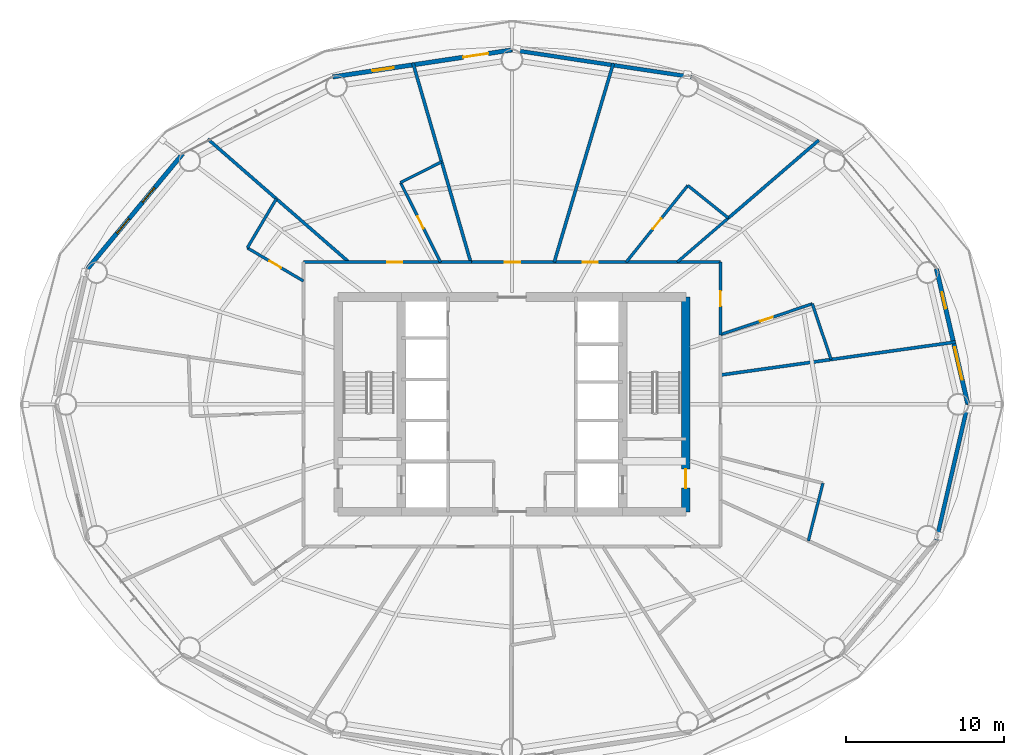
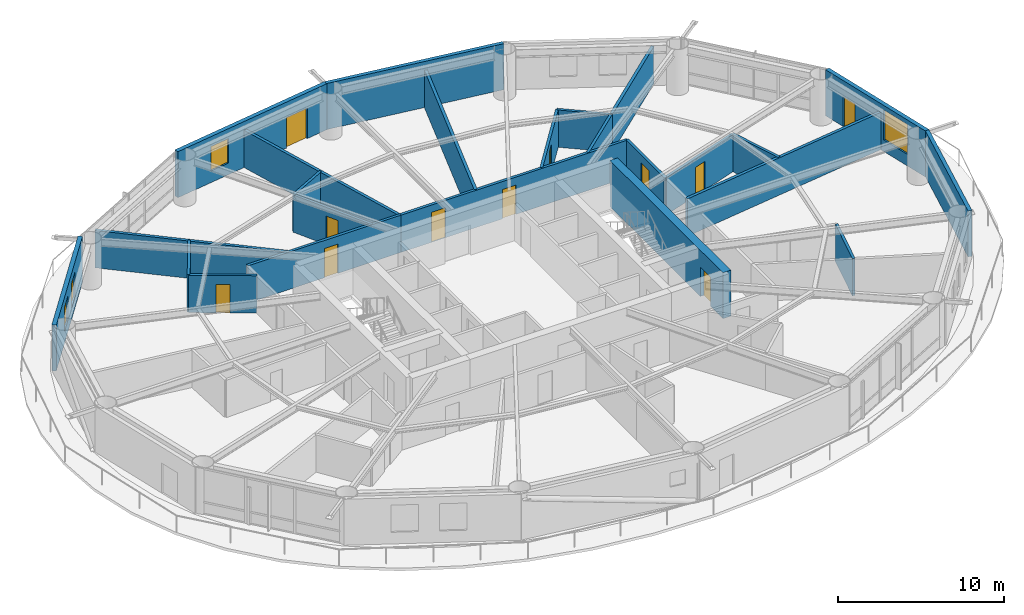
# One storey, part 20 of 24: 24 walls, 11 doors, 4 windows, 15 openings.
"""IFC4 building model written with IfcOpenShell, lengths in metres."""

from ifc_helpers import new_model, si_unit, direction, frame, frame_2d, origin, place, context, subcontext, project, spatial, rectangle, extrude, material, layer, layer_set, type_object, element, fill, save


model = new_model("IFC4")

# Units and contexts
model_context = context("Model", 3, precision=1e-05, world=origin(), true_north=direction((0.0, 1.0)))
body_context = subcontext(model_context, "Body", "Model", "MODEL_VIEW")
ifc_project = project(units=[si_unit("LENGTHUNIT", "METRE"), si_unit("AREAUNIT", "SQUARE_METRE"), si_unit("VOLUMEUNIT", "CUBIC_METRE"), si_unit("PLANEANGLEUNIT", "RADIAN"), si_unit("MASSUNIT", "GRAM", prefix="KILO")], contexts=[model_context])

# Site, building, storey
site_placement = place(None, origin())
site = spatial("IfcSite", under=ifc_project, at=site_placement, CompositionType="ELEMENT")
building_placement = place(site_placement, origin())
building = spatial("IfcBuilding", under=site, at=building_placement, Name="Sarneth Arch Tower", CompositionType="ELEMENT")
storey_placement = place(building_placement, frame((0.0, 0.0, 123.60009765625)))
storey = spatial("IfcBuildingStorey", under=building, at=storey_placement, Name="L31", CompositionType="ELEMENT", Elevation=123.60009765625)

# Wall, opening, door
ifc_material_1 = material(Name="Concrete C60/75", Category="concrete")
ifc_layer_1 = layer(ifc_material_1, 0.550048828125)
ifc_layer_set_1 = layer_set([ifc_layer_1], Name="Concrete C60/75")
wall_type_1 = type_object("IfcWallType", Name="WALL-CORE-550", PredefinedType="SHEAR", material=ifc_layer_set_1)
wall_1_placement = place(storey_placement, frame((59.0, 35.199951171875, 0.0), z_axis=(0.0, 0.0, 1.0), x_axis=(0.0, 1.0, 0.0)))
wall_1 = element("IfcWall", 1, at=wall_1_placement, inside=storey, type_object=wall_type_1, Name="L31 Core shear wall E", PredefinedType="SHEAR", context=body_context, shape_type="SweptSolid", body=[
    extrude(rectangle(XDim=13.60009765625, YDim=0.550048828125, at=frame_2d((6.800048828125, 0.0))), origin(), (0.0, 0.0, 1.0), 3.3798828125),
])
opening_1_placement = place(wall_1_placement, frame((1.5, 0.0, 0.0)))
opening_1 = element("IfcOpeningElement", 2, at=opening_1_placement, cuts=wall_1, Name="Opening FD-02", PredefinedType="OPENING", context=body_context, shape_type="SweptSolid", body=[
    extrude(rectangle(XDim=1.199951171875, YDim=2.14990234375, at=frame_2d((0.60009765625, 1.074951171875))), frame((0.0, 0.284912109375, 0.0), z_axis=(0.0, -1.0, 0.0), x_axis=(1.0, 0.0, 0.0)), (0.0, 0.0, 1.0), 0.570068359375),
])
ifc_material_2 = material(Name="Galvanised Steel S275 fire door set", Category="steel")
door_type_1 = type_object("IfcDoorType", Name="DR-FD90-1200", OperationType="SINGLE_SWING_LEFT", PredefinedType="DOOR", material=ifc_material_2)
door_1_placement = place(opening_1_placement, origin())
door_1 = element("IfcDoor", 3, at=door_1_placement, inside=storey, type_object=door_type_1, Name="L31 Firefighting lobby 2 exit door", OperationType="SINGLE_SWING_RIGHT", OverallHeight=2.14990234375, OverallWidth=1.199951171875, PredefinedType="DOOR", context=body_context, shape_type="SweptSolid", body=[
    extrude(rectangle(XDim=1.199951171875, YDim=2.14990234375, at=frame_2d((0.60009765625, 1.074951171875))), frame((0.0, 0.02490234375, 0.0), z_axis=(0.0, -1.0, 0.0), x_axis=(1.0, 0.0, 0.0)), (0.0, 0.0, 1.0), 0.050048828125),
])
fill(opening_1, door_1)

ifc_material_3 = material(Name="Double steel-stud corridor fire wall", Category="steel")
ifc_layer_2 = layer(ifc_material_3, 0.18994140625)
ifc_layer_set_2 = layer_set([ifc_layer_2], Name="Double steel-stud corridor fire wall")
wall_type_2 = type_object("IfcWallType", Name="WALL-CORR-190", PredefinedType="PARTITIONING", material=ifc_layer_set_2)
wall_2_placement = place(storey_placement, frame((34.800048828125, 51.0, 0.0), z_axis=(0.0, 0.0, 1.0), x_axis=(1.0, 0.0, 0.0)))
wall_2 = element("IfcWall", 4, at=wall_2_placement, inside=storey, type_object=wall_type_2, Name="L31 Interior partition W-L31-TP-007", PredefinedType="PARTITIONING", context=body_context, shape_type="SweptSolid", body=[
    extrude(rectangle(XDim=10.62158203125, YDim=0.18994140625, at=frame_2d((5.310791015625, 0.0))), origin(), (0.0, 0.0, 1.0), 2.739990234375),
])
opening_2_placement = place(wall_2_placement, frame((5.296875, 0.0, 0.0)))
opening_2 = element("IfcOpeningElement", 5, at=opening_2_placement, cuts=wall_2, Name="Opening FD-09", PredefinedType="OPENING", context=body_context, shape_type="SweptSolid", body=[
    extrude(rectangle(XDim=0.949951171875, YDim=2.14990234375, at=frame_2d((0.47509765625, 1.074951171875))), frame((0.0, 0.10498046875, 0.0), z_axis=(0.0, -1.0, 0.0), x_axis=(1.0, 0.0, 0.0)), (0.0, 0.0, 1.0), 0.2099609375),
])
ifc_material_4 = material(Name="Hardwood timber hotel entrance fire door", Category="wood")
door_type_2 = type_object("IfcDoorType", Name="DR-FD60-950", OperationType="SINGLE_SWING_RIGHT", PredefinedType="DOOR", material=ifc_material_4)
door_2_placement = place(opening_2_placement, origin())
door_2 = element("IfcDoor", 6, at=door_2_placement, inside=storey, type_object=door_type_2, Name="L31 Interior door DR-L31-KEY-04", OperationType="SINGLE_SWING_LEFT", OverallHeight=2.14990234375, OverallWidth=0.949951171875, PredefinedType="DOOR", context=body_context, shape_type="SweptSolid", body=[
    extrude(rectangle(XDim=0.949951171875, YDim=2.14990234375, at=frame_2d((0.47509765625, 1.074951171875))), frame((0.0, 0.02490234375, 0.0), z_axis=(0.0, -1.0, 0.0), x_axis=(1.0, 0.0, 0.0)), (0.0, 0.0, 1.0), 0.050048828125),
])
fill(opening_2, door_2)

# Wall, openings, doors
wall_3_placement = place(storey_placement, frame((45.35498046875, 51.0, 0.0), z_axis=(0.0, 0.0, 1.0), x_axis=(1.0, 0.0, 0.0)))
wall_3 = element("IfcWall", 7, at=wall_3_placement, inside=storey, type_object=wall_type_2, Name="L31 Interior partition W-L31-TP-006", PredefinedType="PARTITIONING", context=body_context, shape_type="SweptSolid", body=[
    extrude(rectangle(XDim=15.844970703125, YDim=0.18994140625, at=frame_2d((7.92236328125, 0.0))), origin(), (0.0, 0.0, 1.0), 2.739990234375),
])
opening_3_placement = place(wall_3_placement, frame((2.176025390625, 0.0, 0.0)))
opening_3 = element("IfcOpeningElement", 8, at=opening_3_placement, cuts=wall_3, Name="Opening FD-08", PredefinedType="OPENING", context=body_context, shape_type="SweptSolid", body=[
    extrude(rectangle(XDim=1.0, YDim=2.199951171875, at=frame_2d((0.5, 1.10009765625))), frame((0.0, 0.10498046875, 0.0), z_axis=(0.0, -1.0, 0.0), x_axis=(1.0, 0.0, 0.0)), (0.0, 0.0, 1.0), 0.2099609375),
])
opening_4_placement = place(wall_3_placement, frame((7.125, 0.0, 0.0)))
opening_4 = element("IfcOpeningElement", 9, at=opening_4_placement, cuts=wall_3, Name="Opening FD-09", PredefinedType="OPENING", context=body_context, shape_type="SweptSolid", body=[
    extrude(rectangle(XDim=0.949951171875, YDim=2.14990234375, at=frame_2d((0.47509765625, 1.074951171875))), frame((0.0, 0.10498046875, 0.0), z_axis=(0.0, -1.0, 0.0), x_axis=(1.0, 0.0, 0.0)), (0.0, 0.0, 1.0), 0.2099609375),
])
ifc_material_5 = material(Name="Hardwood timber acoustic fire door", Category="wood")
door_type_3 = type_object("IfcDoorType", Name="DR-FD60-1000", OperationType="SINGLE_SWING_LEFT", PredefinedType="DOOR", material=ifc_material_5)
door_3_placement = place(opening_3_placement, origin())
door_3 = element("IfcDoor", 10, at=door_3_placement, inside=storey, type_object=door_type_3, Name="L31 Interior door DR-L31-AMN-03", OperationType="SINGLE_SWING_RIGHT", OverallHeight=2.199951171875, OverallWidth=1.0, PredefinedType="DOOR", context=body_context, shape_type="SweptSolid", body=[
    extrude(rectangle(XDim=1.0, YDim=2.199951171875, at=frame_2d((0.5, 1.10009765625))), frame((0.0, 0.02490234375, 0.0), z_axis=(0.0, -1.0, 0.0), x_axis=(1.0, 0.0, 0.0)), (0.0, 0.0, 1.0), 0.050048828125),
])
fill(opening_3, door_3)
door_4_placement = place(opening_4_placement, origin())
door_4 = element("IfcDoor", 11, at=door_4_placement, inside=storey, type_object=door_type_2, Name="L31 Interior door DR-L31-KEY-02", OperationType="SINGLE_SWING_RIGHT", OverallHeight=2.14990234375, OverallWidth=0.949951171875, PredefinedType="DOOR", context=body_context, shape_type="SweptSolid", body=[
    extrude(rectangle(XDim=0.949951171875, YDim=2.14990234375, at=frame_2d((0.47509765625, 1.074951171875))), frame((0.0, 0.02490234375, 0.0), z_axis=(0.0, -1.0, 0.0), x_axis=(1.0, 0.0, 0.0)), (0.0, 0.0, 1.0), 0.050048828125),
])
fill(opening_4, door_4)

# Wall, opening, door
wall_4_placement = place(storey_placement, frame((61.199951171875, 51.0, 0.0), z_axis=(0.0, 0.0, 1.0), x_axis=(0.0, -1.0, 0.0)))
wall_4 = element("IfcWall", 12, at=wall_4_placement, inside=storey, type_object=wall_type_2, Name="L31 Interior partition W-L31-TP-002", PredefinedType="PARTITIONING", context=body_context, shape_type="SweptSolid", body=[
    extrude(rectangle(XDim=4.616943359375, YDim=0.18994140625, at=frame_2d((2.30859375, 0.0))), origin(), (0.0, 0.0, 1.0), 2.739990234375),
])
opening_5_placement = place(wall_4_placement, frame((1.83349609375, 0.0, 0.0)))
opening_5 = element("IfcOpeningElement", 13, at=opening_5_placement, cuts=wall_4, Name="Opening FD-09", PredefinedType="OPENING", context=body_context, shape_type="SweptSolid", body=[
    extrude(rectangle(XDim=0.949951171875, YDim=2.14990234375, at=frame_2d((0.47509765625, 1.074951171875))), frame((0.0, 0.10498046875, 0.0), z_axis=(0.0, -1.0, 0.0), x_axis=(1.0, 0.0, 0.0)), (0.0, 0.0, 1.0), 0.2099609375),
])
door_5_placement = place(opening_5_placement, origin())
door_5 = element("IfcDoor", 14, at=door_5_placement, inside=storey, type_object=door_type_2, Name="L31 Interior door DR-L31-KEY-01", OperationType="SINGLE_SWING_LEFT", OverallHeight=2.14990234375, OverallWidth=0.949951171875, PredefinedType="DOOR", context=body_context, shape_type="SweptSolid", body=[
    extrude(rectangle(XDim=0.949951171875, YDim=2.14990234375, at=frame_2d((0.47509765625, 1.074951171875))), frame((0.0, 0.02490234375, 0.0), z_axis=(0.0, -1.0, 0.0), x_axis=(1.0, 0.0, 0.0)), (0.0, 0.0, 1.0), 0.050048828125),
])
fill(opening_5, door_5)

# Walls
ifc_material_6 = material(Name="Extruded terracotta rainscreen on Concrete C40/50 backing", Category="masonry")
ifc_layer_3 = layer(ifc_material_6, 0.25)
ifc_layer_set_3 = layer_set([ifc_layer_3], Name="Extruded terracotta rainscreen on Concrete C40/50 backing")
wall_type_3 = type_object("IfcWallType", Name="WALL-EXT-SPAND-250", PredefinedType="SOLIDWALL", material=ifc_layer_set_3)
wall_5_placement = place(storey_placement, frame((59.351318359375, 62.72265625, 0.0), z_axis=(0.0, 0.0, 1.0), x_axis=(-0.988877774656, 0.148730450117, 0.0)))
element("IfcWall", 15, at=wall_5_placement, inside=storey, type_object=wall_type_3, Name="L31 Terracotta perimeter wall 04", PredefinedType="SOLIDWALL", context=body_context, shape_type="SweptSolid", body=[
    extrude(rectangle(XDim=11.47900390625, YDim=0.25, at=frame_2d((5.739501953125, 0.0))), origin(), (0.0, 0.0, 1.0), 3.3798828125),
])
wall_6_placement = place(storey_placement, frame((74.861328125, 33.41650390625, 0.0), z_axis=(0.0, 0.0, 1.0), x_axis=(0.22558597182, 0.974223264616, 0.0)))
element("IfcWall", 16, at=wall_6_placement, inside=storey, type_object=wall_type_3, Name="L31 Terracotta perimeter wall 16", PredefinedType="SOLIDWALL", context=body_context, shape_type="SweptSolid", body=[
    extrude(rectangle(XDim=8.810546875, YDim=0.25, at=frame_2d((4.4052734375, 0.0))), origin(), (0.0, 0.0, 1.0), 3.3798828125),
])

# Wall, openings, door, window
ifc_material_7 = material(Name="Extruded terracotta rainscreen on Concrete C40/50 backing", Category="masonry")
ifc_layer_4 = layer(ifc_material_7, 0.280029296875)
ifc_layer_set_4 = layer_set([ifc_layer_4], Name="Extruded terracotta rainscreen on Concrete C40/50 backing")
wall_type_4 = type_object("IfcWallType", Name="WALL-EXT-TERRA-280", PredefinedType="SOLIDWALL", material=ifc_layer_set_4)
wall_7_placement = place(storey_placement, frame((76.848876953125, 42.0, 0.0), z_axis=(0.0, 0.0, 1.0), x_axis=(-0.22558597182, 0.974223264616, 0.0)))
wall_7 = element("IfcWall", 17, at=wall_7_placement, inside=storey, type_object=wall_type_4, Name="L31 Terracotta perimeter wall 01", PredefinedType="SOLIDWALL", context=body_context, shape_type="SweptSolid", body=[
    extrude(rectangle(XDim=8.810546875, YDim=0.280029296875, at=frame_2d((4.4052734375, 0.0))), origin(), (0.0, 0.0, 1.0), 3.3798828125),
])
opening_6_placement = place(wall_7_placement, frame((1.60400390625, 0.0, 0.85009765625)))
opening_6 = element("IfcOpeningElement", 18, at=opening_6_placement, cuts=wall_7, Name="Opening W-03", PredefinedType="OPENING", context=body_context, shape_type="SweptSolid", body=[
    extrude(rectangle(XDim=2.10009765625, YDim=2.199951171875, at=frame_2d((1.050048828125, 1.10009765625))), frame((0.0, 0.14990234375, 0.0), z_axis=(0.0, -1.0, 0.0), x_axis=(1.0, 0.0, 0.0)), (0.0, 0.0, 1.0), 0.300048828125),
])
opening_7_placement = place(wall_7_placement, frame((6.224609375, 0.0, 0.0)))
opening_7 = element("IfcOpeningElement", 19, at=opening_7_placement, cuts=wall_7, Name="Opening BD-4", PredefinedType="OPENING", context=body_context, shape_type="SweptSolid", body=[
    extrude(rectangle(XDim=1.050048828125, YDim=2.199951171875, at=frame_2d((0.52490234375, 1.10009765625))), frame((0.0, 0.14990234375, 0.0), z_axis=(0.0, -1.0, 0.0), x_axis=(1.0, 0.0, 0.0)), (0.0, 0.0, 1.0), 0.300048828125),
])
ifc_material_8 = material(Name="Thermally broken Aluminium 6063-T6 and laminated safety glass", Category="aluminium")
door_type_4 = type_object("IfcDoorType", Name="DR-BALC-GLZ-1050", OperationType="SINGLE_SWING_RIGHT", PredefinedType="DOOR", material=ifc_material_8)
door_6_placement = place(opening_7_placement, origin())
door_6 = element("IfcDoor", 20, at=door_6_placement, inside=storey, type_object=door_type_4, Name="L31 Balcony glazed door 01", OperationType="SINGLE_SWING_RIGHT", OverallHeight=2.199951171875, OverallWidth=1.050048828125, PredefinedType="DOOR", context=body_context, shape_type="SweptSolid", body=[
    extrude(rectangle(XDim=1.050048828125, YDim=2.199951171875, at=frame_2d((0.52490234375, 1.10009765625))), frame((0.0, 0.02490234375, 0.0), z_axis=(0.0, -1.0, 0.0), x_axis=(1.0, 0.0, 0.0)), (0.0, 0.0, 1.0), 0.050048828125),
])
fill(opening_7, door_6)
ifc_material_9 = material(Name="Thermally broken Aluminium 6063-T6 and low-e laminated IGU", Category="aluminium")
window_type_1 = type_object("IfcWindowType", Name="WIN-TWR-2100x2200", PartitioningType="DOUBLE_PANEL_VERTICAL", PredefinedType="WINDOW", material=ifc_material_9)
window_1_placement = place(opening_6_placement, origin())
window_1 = element("IfcWindow", 21, at=window_1_placement, inside=storey, type_object=window_type_1, Name="L31 Exterior window 01A", OverallHeight=2.199951171875, OverallWidth=2.10009765625, PartitioningType="SINGLE_PANEL", PredefinedType="WINDOW", context=body_context, shape_type="SweptSolid", body=[
    extrude(rectangle(XDim=2.10009765625, YDim=2.199951171875, at=frame_2d((1.050048828125, 1.10009765625))), frame((0.0, 0.030029296875, 0.0), z_axis=(0.0, -1.0, 0.0), x_axis=(1.0, 0.0, 0.0)), (0.0, 0.0, 1.0), 0.06005859375),
])
fill(opening_6, window_1)

wall_8_placement = place(storey_placement, frame((48.0, 64.429931640625, 0.0), z_axis=(0.0, 0.0, 1.0), x_axis=(-0.988877774656, -0.148730450117, 0.0)))
wall_8 = element("IfcWall", 22, at=wall_8_placement, inside=storey, type_object=wall_type_4, Name="L31 Terracotta perimeter wall 05", PredefinedType="SOLIDWALL", context=body_context, shape_type="SweptSolid", body=[
    extrude(rectangle(XDim=11.47900390625, YDim=0.280029296875, at=frame_2d((5.739501953125, 0.0))), origin(), (0.0, 0.0, 1.0), 3.3798828125),
])
opening_8_placement = place(wall_8_placement, frame((1.523681640625, 0.0, 0.0)))
opening_8 = element("IfcOpeningElement", 23, at=opening_8_placement, cuts=wall_8, Name="Opening BD-1", PredefinedType="OPENING", context=body_context, shape_type="SweptSolid", body=[
    extrude(rectangle(XDim=1.60009765625, YDim=2.25, at=frame_2d((0.800048828125, 1.125))), frame((0.0, 0.14990234375, 0.0), z_axis=(0.0, -1.0, 0.0), x_axis=(1.0, 0.0, 0.0)), (0.0, 0.0, 1.0), 0.300048828125),
])
opening_9_placement = place(wall_8_placement, frame((7.574951171875, 0.0, 0.85009765625)))
opening_9 = element("IfcOpeningElement", 24, at=opening_9_placement, cuts=wall_8, Name="Opening W-08", PredefinedType="OPENING", context=body_context, shape_type="SweptSolid", body=[
    extrude(rectangle(XDim=1.35009765625, YDim=1.800048828125, at=frame_2d((0.675048828125, 0.89990234375))), frame((0.0, 0.14990234375, 0.0), z_axis=(0.0, -1.0, 0.0), x_axis=(1.0, 0.0, 0.0)), (0.0, 0.0, 1.0), 0.300048828125),
])
ifc_material_10 = material(Name="Thermally broken Aluminium 6063-T6 and laminated safety glass", Category="aluminium")
door_type_5 = type_object("IfcDoorType", Name="DR-BALC-GLZ-1600", OperationType="DOUBLE_DOOR_SINGLE_SWING", PredefinedType="DOOR", material=ifc_material_10)
door_7_placement = place(opening_8_placement, origin())
door_7 = element("IfcDoor", 25, at=door_7_placement, inside=storey, type_object=door_type_5, Name="L31 Balcony glazed door 05", OperationType="DOUBLE_DOOR_SINGLE_SWING", OverallHeight=2.25, OverallWidth=1.60009765625, PredefinedType="DOOR", context=body_context, shape_type="SweptSolid", body=[
    extrude(rectangle(XDim=1.60009765625, YDim=2.25, at=frame_2d((0.800048828125, 1.125))), frame((0.0, 0.02490234375, 0.0), z_axis=(0.0, -1.0, 0.0), x_axis=(1.0, 0.0, 0.0)), (0.0, 0.0, 1.0), 0.050048828125),
])
fill(opening_8, door_7)
ifc_material_11 = material(Name="Thermally broken Aluminium 6063-T6 and low-e laminated IGU", Category="aluminium")
window_type_2 = type_object("IfcWindowType", Name="WIN-TWR-1350x1800", PartitioningType="SINGLE_PANEL", PredefinedType="WINDOW", material=ifc_material_11)
window_2_placement = place(opening_9_placement, origin())
window_2 = element("IfcWindow", 26, at=window_2_placement, inside=storey, type_object=window_type_2, Name="L31 Exterior window 05A", OverallHeight=1.800048828125, OverallWidth=1.35009765625, PartitioningType="SINGLE_PANEL", PredefinedType="WINDOW", context=body_context, shape_type="SweptSolid", body=[
    extrude(rectangle(XDim=1.35009765625, YDim=1.800048828125, at=frame_2d((0.675048828125, 0.89990234375))), frame((0.0, 0.030029296875, 0.0), z_axis=(0.0, -1.0, 0.0), x_axis=(1.0, 0.0, 0.0)), (0.0, 0.0, 1.0), 0.06005859375),
])
fill(opening_9, window_2)

# Wall, openings, windows
wall_9_placement = place(storey_placement, frame((27.159912109375, 57.8603515625, 0.0), z_axis=(0.0, 0.0, 1.0), x_axis=(-0.637505817448, -0.770445541696, 0.0)))
wall_9 = element("IfcWall", 27, at=wall_9_placement, inside=storey, type_object=wall_type_4, Name="L31 Terracotta perimeter wall 07", PredefinedType="SOLIDWALL", context=body_context, shape_type="SweptSolid", body=[
    extrude(rectangle(XDim=9.445068359375, YDim=0.280029296875, at=frame_2d((4.72265625, 0.0))), origin(), (0.0, 0.0, 1.0), 3.3798828125),
])
opening_10_placement = place(wall_9_placement, frame((2.796630859375, 0.0, 0.85009765625)))
opening_10 = element("IfcOpeningElement", 28, at=opening_10_placement, cuts=wall_9, Name="Opening W-09", PredefinedType="OPENING", context=body_context, shape_type="SweptSolid", body=[
    extrude(rectangle(XDim=1.199951171875, YDim=1.800048828125, at=frame_2d((0.60009765625, 0.89990234375))), frame((0.0, 0.14990234375, 0.0), z_axis=(0.0, -1.0, 0.0), x_axis=(1.0, 0.0, 0.0)), (0.0, 0.0, 1.0), 0.300048828125),
])
opening_11_placement = place(wall_9_placement, frame((5.331787109375, 0.0, 0.85009765625)))
opening_11 = element("IfcOpeningElement", 29, at=opening_11_placement, cuts=wall_9, Name="Opening W-09", PredefinedType="OPENING", context=body_context, shape_type="SweptSolid", body=[
    extrude(rectangle(XDim=1.199951171875, YDim=1.800048828125, at=frame_2d((0.60009765625, 0.89990234375))), frame((0.0, 0.14990234375, 0.0), z_axis=(0.0, -1.0, 0.0), x_axis=(1.0, 0.0, 0.0)), (0.0, 0.0, 1.0), 0.300048828125),
])
ifc_material_12 = material(Name="Thermally broken Aluminium 6063-T6 and low-e laminated IGU", Category="aluminium")
window_type_3 = type_object("IfcWindowType", Name="WIN-TWR-1200x1800", PartitioningType="SINGLE_PANEL", PredefinedType="WINDOW", material=ifc_material_12)
window_3_placement = place(opening_10_placement, origin())
window_3 = element("IfcWindow", 30, at=window_3_placement, inside=storey, type_object=window_type_3, Name="L31 Exterior window 07A", OverallHeight=1.800048828125, OverallWidth=1.199951171875, PartitioningType="SINGLE_PANEL", PredefinedType="WINDOW", context=body_context, shape_type="SweptSolid", body=[
    extrude(rectangle(XDim=1.199951171875, YDim=1.800048828125, at=frame_2d((0.60009765625, 0.89990234375))), frame((0.0, 0.030029296875, 0.0), z_axis=(0.0, -1.0, 0.0), x_axis=(1.0, 0.0, 0.0)), (0.0, 0.0, 1.0), 0.06005859375),
])
fill(opening_10, window_3)
window_4_placement = place(opening_11_placement, origin())
window_4 = element("IfcWindow", 31, at=window_4_placement, inside=storey, type_object=window_type_3, Name="L31 Exterior window 07B", OverallHeight=1.800048828125, OverallWidth=1.199951171875, PartitioningType="SINGLE_PANEL", PredefinedType="WINDOW", context=body_context, shape_type="SweptSolid", body=[
    extrude(rectangle(XDim=1.199951171875, YDim=1.800048828125, at=frame_2d((0.60009765625, 0.89990234375))), frame((0.0, 0.030029296875, 0.0), z_axis=(0.0, -1.0, 0.0), x_axis=(1.0, 0.0, 0.0)), (0.0, 0.0, 1.0), 0.06005859375),
])
fill(opening_11, window_4)

# Wall, opening, door
ifc_material_13 = material(Name="Moisture-resistant plumbing chase wall", Category="gypsum")
ifc_layer_5 = layer(ifc_material_13, 0.179931640625)
ifc_layer_set_5 = layer_set([ifc_layer_5], Name="Moisture-resistant plumbing chase wall")
wall_type_5 = type_object("IfcWallType", Name="WALL-PLUMB-180", PredefinedType="PLUMBINGWALL", material=ifc_layer_set_5)
wall_10_placement = place(storey_placement, frame((55.22900390625, 51.0, 0.0), z_axis=(0.0, 0.0, 1.0), x_axis=(0.626239129839, 0.779631035977, 0.0)))
wall_10 = element("IfcWall", 32, at=wall_10_placement, inside=storey, type_object=wall_type_5, Name="L31 Interior partition W-L31-TP-031", PredefinedType="PLUMBINGWALL", context=body_context, shape_type="SweptSolid", body=[
    extrude(rectangle(XDim=6.22314453125, YDim=0.179931640625, at=frame_2d((3.111572265625, 0.0))), origin(), (0.0, 0.0, 1.0), 2.739990234375),
])
opening_12_placement = place(wall_10_placement, frame((2.6865234375, 0.0, 0.0)))
opening_12 = element("IfcOpeningElement", 33, at=opening_12_placement, cuts=wall_10, Name="Opening ID-02", PredefinedType="OPENING", context=body_context, shape_type="SweptSolid", body=[
    extrude(rectangle(XDim=0.85009765625, YDim=2.10009765625, at=frame_2d((0.425048828125, 1.050048828125))), frame((0.0, 0.099853515625, 0.0), z_axis=(0.0, -1.0, 0.0), x_axis=(1.0, 0.0, 0.0)), (0.0, 0.0, 1.0), 0.199951171875),
])
ifc_material_14 = material(Name="Moisture-resistant bathroom timber door", Category="wood")
door_type_6 = type_object("IfcDoorType", Name="DR-INT-850", OperationType="SINGLE_SWING_RIGHT", PredefinedType="DOOR", material=ifc_material_14)
door_8_placement = place(opening_12_placement, origin())
door_8 = element("IfcDoor", 34, at=door_8_placement, inside=storey, type_object=door_type_6, Name="L31 Interior door DR-L31-ENS-02", OperationType="SINGLE_SWING_LEFT", OverallHeight=2.10009765625, OverallWidth=0.85009765625, PredefinedType="DOOR", context=body_context, shape_type="SweptSolid", body=[
    extrude(rectangle(XDim=0.85009765625, YDim=2.10009765625, at=frame_2d((0.425048828125, 1.050048828125))), frame((0.0, 0.02490234375, 0.0), z_axis=(0.0, -1.0, 0.0), x_axis=(1.0, 0.0, 0.0)), (0.0, 0.0, 1.0), 0.050048828125),
])
fill(opening_12, door_8)

wall_11_placement = place(storey_placement, frame((67.01220703125, 48.361328125, 0.0), z_axis=(0.0, 0.0, 1.0), x_axis=(-0.948332174456, -0.317279193915, 0.0)))
wall_11 = element("IfcWall", 35, at=wall_11_placement, inside=storey, type_object=wall_type_5, Name="L31 Interior partition W-L31-TP-026", PredefinedType="PLUMBINGWALL", context=body_context, shape_type="SweptSolid", body=[
    extrude(rectangle(XDim=6.12890625, YDim=0.179931640625, at=frame_2d((3.064453125, 0.0))), origin(), (0.0, 0.0, 1.0), 2.739990234375),
])
opening_13_placement = place(wall_11_placement, frame((2.639404296875, 0.0, 0.0)))
opening_13 = element("IfcOpeningElement", 36, at=opening_13_placement, cuts=wall_11, Name="Opening ID-02", PredefinedType="OPENING", context=body_context, shape_type="SweptSolid", body=[
    extrude(rectangle(XDim=0.85009765625, YDim=2.10009765625, at=frame_2d((0.425048828125, 1.050048828125))), frame((0.0, 0.099853515625, 0.0), z_axis=(0.0, -1.0, 0.0), x_axis=(1.0, 0.0, 0.0)), (0.0, 0.0, 1.0), 0.199951171875),
])
door_9_placement = place(opening_13_placement, origin())
door_9 = element("IfcDoor", 37, at=door_9_placement, inside=storey, type_object=door_type_6, Name="L31 Interior door DR-L31-ENS-01", OperationType="SINGLE_SWING_LEFT", OverallHeight=2.10009765625, OverallWidth=0.85009765625, PredefinedType="DOOR", context=body_context, shape_type="SweptSolid", body=[
    extrude(rectangle(XDim=0.85009765625, YDim=2.10009765625, at=frame_2d((0.425048828125, 1.050048828125))), frame((0.0, 0.02490234375, 0.0), z_axis=(0.0, -1.0, 0.0), x_axis=(1.0, 0.0, 0.0)), (0.0, 0.0, 1.0), 0.050048828125),
])
fill(opening_13, door_9)

wall_12_placement = place(storey_placement, frame((40.94482421875, 56.03857421875, 0.0), z_axis=(0.0, 0.0, 1.0), x_axis=(0.44904833135, -0.893507468414, 0.0)))
wall_12 = element("IfcWall", 38, at=wall_12_placement, inside=storey, type_object=wall_type_5, Name="L31 Interior partition W-L31-TP-037", PredefinedType="PLUMBINGWALL", context=body_context, shape_type="SweptSolid", body=[
    extrude(rectangle(XDim=5.63916015625, YDim=0.179931640625, at=frame_2d((2.819580078125, 0.0))), origin(), (0.0, 0.0, 1.0), 2.739990234375),
])
opening_14_placement = place(wall_12_placement, frame((2.39453125, 0.0, 0.0)))
opening_14 = element("IfcOpeningElement", 39, at=opening_14_placement, cuts=wall_12, Name="Opening ID-02", PredefinedType="OPENING", context=body_context, shape_type="SweptSolid", body=[
    extrude(rectangle(XDim=0.85009765625, YDim=2.10009765625, at=frame_2d((0.425048828125, 1.050048828125))), frame((0.0, 0.099853515625, 0.0), z_axis=(0.0, -1.0, 0.0), x_axis=(1.0, 0.0, 0.0)), (0.0, 0.0, 1.0), 0.199951171875),
])
door_10_placement = place(opening_14_placement, origin())
door_10 = element("IfcDoor", 40, at=door_10_placement, inside=storey, type_object=door_type_6, Name="L31 Interior door DR-L31-ENS-04", OperationType="SINGLE_SWING_RIGHT", OverallHeight=2.10009765625, OverallWidth=0.85009765625, PredefinedType="DOOR", context=body_context, shape_type="SweptSolid", body=[
    extrude(rectangle(XDim=0.85009765625, YDim=2.10009765625, at=frame_2d((0.425048828125, 1.050048828125))), frame((0.0, 0.02490234375, 0.0), z_axis=(0.0, -1.0, 0.0), x_axis=(1.0, 0.0, 0.0)), (0.0, 0.0, 1.0), 0.050048828125),
])
fill(opening_14, door_10)

# Wall
wall_13_placement = place(storey_placement, frame((61.693603515625, 53.78955078125, 0.0), z_axis=(0.0, 0.0, 1.0), x_axis=(-0.757844088621, -0.652435695945, 0.0)))
element("IfcWall", 41, at=wall_13_placement, inside=storey, type_object=wall_type_5, Name="L31 Interior partition W-L31-TP-028", PredefinedType="PLUMBINGWALL", context=body_context, shape_type="SweptSolid", body=[
    extrude(rectangle(XDim=4.275634765625, YDim=0.179931640625, at=frame_2d((2.1376953125, 0.0))), origin(), (0.0, 0.0, 1.0), 2.739990234375),
])

# Wall, opening, door
wall_14_placement = place(storey_placement, frame((31.25, 51.90234375, 0.0), z_axis=(0.0, 0.0, 1.0), x_axis=(0.860833406846, -0.508886869214, 0.0)))
wall_14 = element("IfcWall", 42, at=wall_14_placement, inside=storey, type_object=wall_type_5, Name="L31 Interior partition W-L31-TP-041", PredefinedType="PLUMBINGWALL", context=body_context, shape_type="SweptSolid", body=[
    extrude(rectangle(XDim=4.1240234375, YDim=0.179931640625, at=frame_2d((2.06201171875, 0.0))), origin(), (0.0, 0.0, 1.0), 2.739990234375),
])
opening_15_placement = place(wall_14_placement, frame((1.636962890625, 0.0, 0.0)))
opening_15 = element("IfcOpeningElement", 43, at=opening_15_placement, cuts=wall_14, Name="Opening ID-02", PredefinedType="OPENING", context=body_context, shape_type="SweptSolid", body=[
    extrude(rectangle(XDim=0.85009765625, YDim=2.10009765625, at=frame_2d((0.425048828125, 1.050048828125))), frame((0.0, 0.099853515625, 0.0), z_axis=(0.0, -1.0, 0.0), x_axis=(1.0, 0.0, 0.0)), (0.0, 0.0, 1.0), 0.199951171875),
])
door_11_placement = place(opening_15_placement, origin())
door_11 = element("IfcDoor", 44, at=door_11_placement, inside=storey, type_object=door_type_6, Name="L31 Interior door DR-L31-ENS-05", OperationType="SINGLE_SWING_RIGHT", OverallHeight=2.10009765625, OverallWidth=0.85009765625, PredefinedType="DOOR", context=body_context, shape_type="SweptSolid", body=[
    extrude(rectangle(XDim=0.85009765625, YDim=2.10009765625, at=frame_2d((0.425048828125, 1.050048828125))), frame((0.0, 0.02490234375, 0.0), z_axis=(0.0, -1.0, 0.0), x_axis=(1.0, 0.0, 0.0)), (0.0, 0.0, 1.0), 0.050048828125),
])
fill(opening_15, door_11)

# Walls
wall_15_placement = place(storey_placement, frame((67.678466796875, 37.010498046875, 0.0), z_axis=(0.0, 0.0, 1.0), x_axis=(-0.245725202551, -0.969339530212, 0.0)))
element("IfcWall", 45, at=wall_15_placement, inside=storey, type_object=wall_type_5, Name="L31 Interior partition W-L31-TP-062", PredefinedType="PLUMBINGWALL", context=body_context, shape_type="SweptSolid", body=[
    extrude(rectangle(XDim=3.7626953125, YDim=0.179931640625, at=frame_2d((1.88134765625, 0.0))), origin(), (0.0, 0.0, 1.0), 2.739990234375),
])
wall_16_placement = place(storey_placement, frame((68.191162109375, 44.837646484375, 0.0), z_axis=(0.0, 0.0, 1.0), x_axis=(-0.317291996527, 0.948327891048, 0.0)))
element("IfcWall", 46, at=wall_16_placement, inside=storey, type_object=wall_type_5, Name="L31 Interior partition W-L31-TP-025", PredefinedType="PLUMBINGWALL", context=body_context, shape_type="SweptSolid", body=[
    extrude(rectangle(XDim=3.715576171875, YDim=0.179931640625, at=frame_2d((1.85791015625, 0.0))), origin(), (0.0, 0.0, 1.0), 2.739990234375),
])
wall_17_placement = place(storey_placement, frame((33.085205078125, 55.006591796875, 0.0), z_axis=(0.0, 0.0, 1.0), x_axis=(-0.508909491775, -0.860820032981, 0.0)))
element("IfcWall", 47, at=wall_17_placement, inside=storey, type_object=wall_type_5, Name="L31 Interior partition W-L31-TP-040", PredefinedType="PLUMBINGWALL", context=body_context, shape_type="SweptSolid", body=[
    extrude(rectangle(XDim=3.606201171875, YDim=0.179931640625, at=frame_2d((1.80322265625, 0.0))), origin(), (0.0, 0.0, 1.0), 2.739990234375),
])
wall_18_placement = place(storey_placement, frame((59.126220703125, 55.851806640625, 0.0), z_axis=(0.0, 0.0, 1.0), x_axis=(0.779630447666, -0.626239862251, 0.0)))
element("IfcWall", 48, at=wall_18_placement, inside=storey, type_object=wall_type_5, Name="L31 Interior partition W-L31-TP-032", PredefinedType="PLUMBINGWALL", context=body_context, shape_type="SweptSolid", body=[
    extrude(rectangle(XDim=3.29296875, YDim=0.179931640625, at=frame_2d((1.646484375, 0.0))), origin(), (0.0, 0.0, 1.0), 2.739990234375),
])
wall_19_placement = place(storey_placement, frame((43.546875, 57.34619140625, 0.0), z_axis=(0.0, 0.0, 1.0), x_axis=(-0.893519933294, -0.449023528122, 0.0)))
element("IfcWall", 49, at=wall_19_placement, inside=storey, type_object=wall_type_5, Name="L31 Interior partition W-L31-TP-036", PredefinedType="PLUMBINGWALL", context=body_context, shape_type="SweptSolid", body=[
    extrude(rectangle(XDim=2.912109375, YDim=0.179931640625, at=frame_2d((1.4560546875, 0.0))), origin(), (0.0, 0.0, 1.0), 2.739990234375),
])
ifc_material_15 = material(Name="Double steel-stud acoustic drywall", Category="steel")
ifc_layer_6 = layer(ifc_material_15, 0.199951171875)
ifc_layer_set_6 = layer_set([ifc_layer_6], Name="Double steel-stud acoustic drywall")
wall_type_6 = type_object("IfcWallType", Name="WALL-UNIT-200", PredefinedType="PARTITIONING", material=ifc_layer_set_6)
wall_20_placement = place(storey_placement, frame((54.41259765625, 63.585693359375, 0.0), z_axis=(0.0, 0.0, 1.0), x_axis=(-0.284782789849, -0.958592073098, 0.0)))
element("IfcWall", 50, at=wall_20_placement, inside=storey, type_object=wall_type_6, Name="L31 Interior partition W-L31-TP-033", PredefinedType="PARTITIONING", context=body_context, shape_type="SweptSolid", body=[
    extrude(rectangle(XDim=13.12939453125, YDim=0.199951171875, at=frame_2d((6.564697265625, 0.0))), origin(), (0.0, 0.0, 1.0), 2.739990234375),
])
wall_21_placement = place(storey_placement, frame((61.199951171875, 43.85498046875, 0.0), z_axis=(0.0, 0.0, 1.0), x_axis=(0.990266848234, 0.139181785048, 0.0)))
element("IfcWall", 51, at=wall_21_placement, inside=storey, type_object=wall_type_6, Name="L31 Interior partition W-L31-TP-029", PredefinedType="PARTITIONING", context=body_context, shape_type="SweptSolid", body=[
    extrude(rectangle(XDim=15.004638671875, YDim=0.199951171875, at=frame_2d((7.50244140625, 0.0))), origin(), (0.0, 0.0, 1.0), 2.739990234375),
])
wall_22_placement = place(storey_placement, frame((67.414794921875, 58.715576171875, 0.0), z_axis=(0.0, 0.0, 1.0), x_axis=(-0.757805222449, -0.652480838668, 0.0)))
element("IfcWall", 52, at=wall_22_placement, inside=storey, type_object=wall_type_6, Name="L31 Interior partition W-L31-TP-027", PredefinedType="PARTITIONING", context=body_context, shape_type="SweptSolid", body=[
    extrude(rectangle(XDim=7.5498046875, YDim=0.199951171875, at=frame_2d((3.77490234375, 0.0))), origin(), (0.0, 0.0, 1.0), 2.739990234375),
])
wall_23_placement = place(storey_placement, frame((45.388427734375, 51.0, 0.0), z_axis=(0.0, 0.0, 1.0), x_axis=(-0.278690680179, 0.960380916502, 0.0)))
element("IfcWall", 53, at=wall_23_placement, inside=storey, type_object=wall_type_6, Name="L31 Interior partition W-L31-TP-035", PredefinedType="PARTITIONING", context=body_context, shape_type="SweptSolid", body=[
    extrude(rectangle(XDim=13.127197265625, YDim=0.199951171875, at=frame_2d((6.5634765625, 0.0))), origin(), (0.0, 0.0, 1.0), 2.739990234375),
])
wall_24_placement = place(storey_placement, frame((37.6796875, 51.0, 0.0), z_axis=(0.0, 0.0, 1.0), x_axis=(-0.753659518717, 0.657265037749, 0.0)))
element("IfcWall", 54, at=wall_24_placement, inside=storey, type_object=wall_type_6, Name="L31 Interior partition W-L31-TP-039", PredefinedType="PARTITIONING", context=body_context, shape_type="SweptSolid", body=[
    extrude(rectangle(XDim=11.86083984375, YDim=0.199951171875, at=frame_2d((5.930419921875, 0.0))), origin(), (0.0, 0.0, 1.0), 2.739990234375),
])

save(model, "model.ifc")
